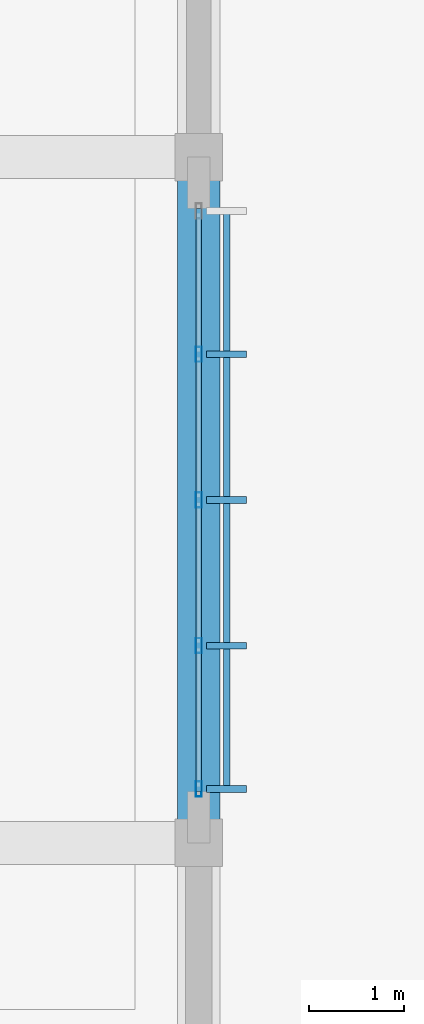
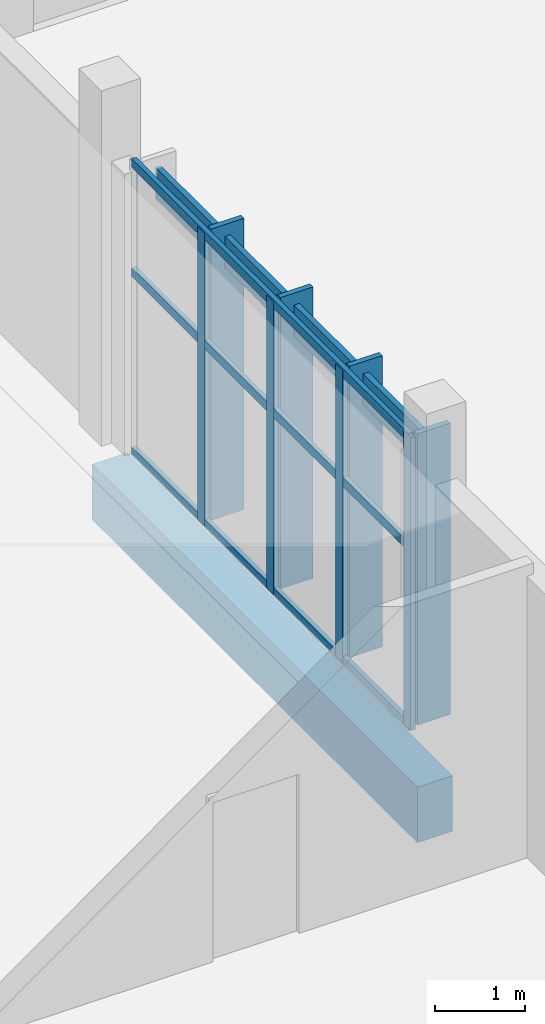
# One storey, part 54 of 151: 12 members, 1 beam, 1 element without a shape of its own.
"""IFC4 building model written with IfcOpenShell, lengths in metres."""

from ifc_helpers import new_model, si_unit, direction, frame, origin, origin_2d, place, context, subcontext, project, spatial, rectangle, hollow_rectangle, extrude, material, material_profile, profile_set, type_object, element, aggregate, save


model = new_model("IFC4")

# Units and contexts
model_context = context("Model", 3, precision=1e-05, world=origin(), true_north=direction((0.0, 1.0)))
body_context = subcontext(model_context, "Body", "Model", "MODEL_VIEW")
ifc_project = project(units=[si_unit("LENGTHUNIT", "METRE"), si_unit("AREAUNIT", "SQUARE_METRE"), si_unit("VOLUMEUNIT", "CUBIC_METRE"), si_unit("PLANEANGLEUNIT", "RADIAN"), si_unit("MASSUNIT", "GRAM", prefix="KILO")], contexts=[model_context])

# Site, building, storey
site_placement = place(None, origin())
site = spatial("IfcSite", under=ifc_project, at=site_placement, CompositionType="ELEMENT")
building_placement = place(site_placement, origin())
building = spatial("IfcBuilding", under=site, at=building_placement, Name="Chiffa Square Polytechnic", CompositionType="ELEMENT")
storey_placement = place(building_placement, origin())
storey = spatial("IfcBuildingStorey", under=building, at=storey_placement, Name="L00", CompositionType="ELEMENT", Elevation=0.0)

# Curtain wall, members
ifc_material_1 = material(Name="Aluminium EN AW-6060 T66 and glulam shading", Category="wood")
curtain_wall_type = type_object("IfcCurtainWallType", Name="CW-VERT-450X440", PredefinedType="USERDEFINED", material=ifc_material_1)
curtain_wall_placement = place(storey_placement, origin())
curtain_wall = element("IfcCurtainWall", 1, at=curtain_wall_placement, inside=storey, type_object=curtain_wall_type, Name="Curtain wall CW-V6-L00-248", ObjectType="CURTAIN WALL", PredefinedType="USERDEFINED")
ifc_material_2 = material(Name="Aluminium EN AW-6060 T66", Category="aluminium")
ifc_material_profile_1 = material_profile(ifc_material_2, hollow_rectangle(XDim=0.06005859375, YDim=0.159912109375, WallThickness=0.00390625, at=origin_2d()), Name="ALU 60x160x4")
ifc_profile_set_1 = profile_set([ifc_material_profile_1], Name="Aluminium EN AW-6060 T66")
member_type_1 = type_object("IfcMemberType", Name="CWM-ALU-65X150", PredefinedType="MULLION", material=ifc_profile_set_1)
member_1_placement = place(storey_placement, frame((32.0, 65.965087890625, 0.0), z_axis=(0.0, 0.0, 1.0), x_axis=(1.0, 0.0, 0.0)))
member_1 = element("IfcMember", 2, at=member_1_placement, type_object=member_type_1, Name="Curtain wall mullion CW-V6-L00-248-M00", PredefinedType="MULLION", context=body_context, shape_type="SweptSolid", body=[
    extrude(hollow_rectangle(XDim=0.06005859375, YDim=0.159912109375, WallThickness=0.00390625, at=origin_2d()), origin(), (0.0, 0.0, 1.0), 3.955078125),
])
member_2_placement = place(storey_placement, frame((32.0, 67.469970703125, 0.0), z_axis=(0.0, 0.0, 1.0), x_axis=(1.0, 0.0, 0.0)))
member_2 = element("IfcMember", 3, at=member_2_placement, type_object=member_type_1, Name="Curtain wall mullion CW-V6-L00-248-M01", PredefinedType="MULLION", context=body_context, shape_type="SweptSolid", body=[
    extrude(hollow_rectangle(XDim=0.06005859375, YDim=0.159912109375, WallThickness=0.00390625, at=origin_2d()), origin(), (0.0, 0.0, 1.0), 3.955078125),
])
member_3_placement = place(storey_placement, frame((32.0, 69.0, 0.0), z_axis=(0.0, 0.0, 1.0), x_axis=(1.0, 0.0, 0.0)))
member_3 = element("IfcMember", 4, at=member_3_placement, type_object=member_type_1, Name="Curtain wall mullion CW-V6-L00-248-M02", PredefinedType="MULLION", context=body_context, shape_type="SweptSolid", body=[
    extrude(hollow_rectangle(XDim=0.06005859375, YDim=0.159912109375, WallThickness=0.00390625, at=origin_2d()), origin(), (0.0, 0.0, 1.0), 3.955078125),
])
member_4_placement = place(storey_placement, frame((32.0, 70.530029296875, 0.0), z_axis=(0.0, 0.0, 1.0), x_axis=(1.0, 0.0, 0.0)))
member_4 = element("IfcMember", 5, at=member_4_placement, type_object=member_type_1, Name="Curtain wall mullion CW-V6-L00-248-M03", PredefinedType="MULLION", context=body_context, shape_type="SweptSolid", body=[
    extrude(hollow_rectangle(XDim=0.06005859375, YDim=0.159912109375, WallThickness=0.00390625, at=origin_2d()), origin(), (0.0, 0.0, 1.0), 3.955078125),
])
ifc_material_3 = material(Name="Glulam GL28h", Category="wood")
ifc_material_profile_2 = material_profile(ifc_material_3, rectangle(XDim=0.070068359375, YDim=0.419921875, at=origin_2d()), Name="GL28h 70x420")
ifc_profile_set_2 = profile_set([ifc_material_profile_2], Name="Glulam GL28h")
member_type_2 = type_object("IfcMemberType", Name="CWM-GL-70X420", PredefinedType="MULLION", material=ifc_profile_set_2)
member_5_placement = place(storey_placement, frame((32.2919921875, 65.965087890625, 0.010009765625), z_axis=(0.0, 0.0, 1.0), x_axis=(0.0, 1.0, 0.0)))
member_5 = element("IfcMember", 6, at=member_5_placement, type_object=member_type_2, Name="Exterior glulam solar fin CW-V6-L00-248-FN00", PredefinedType="MULLION", context=body_context, shape_type="SweptSolid", body=[
    extrude(rectangle(XDim=0.070068359375, YDim=0.419921875, at=origin_2d()), origin(), (0.0, 0.0, 1.0), 3.93505859375),
])
member_6_placement = place(storey_placement, frame((32.2919921875, 67.469970703125, 0.010009765625), z_axis=(0.0, 0.0, 1.0), x_axis=(0.0, 1.0, 0.0)))
member_6 = element("IfcMember", 7, at=member_6_placement, type_object=member_type_2, Name="Exterior glulam solar fin CW-V6-L00-248-FN01", PredefinedType="MULLION", context=body_context, shape_type="SweptSolid", body=[
    extrude(rectangle(XDim=0.070068359375, YDim=0.419921875, at=origin_2d()), origin(), (0.0, 0.0, 1.0), 3.93505859375),
])
member_7_placement = place(storey_placement, frame((32.2919921875, 69.0, 0.010009765625), z_axis=(0.0, 0.0, 1.0), x_axis=(0.0, 1.0, 0.0)))
member_7 = element("IfcMember", 8, at=member_7_placement, type_object=member_type_2, Name="Exterior glulam solar fin CW-V6-L00-248-FN02", PredefinedType="MULLION", context=body_context, shape_type="SweptSolid", body=[
    extrude(rectangle(XDim=0.070068359375, YDim=0.419921875, at=origin_2d()), origin(), (0.0, 0.0, 1.0), 3.93505859375),
])
member_8_placement = place(storey_placement, frame((32.2919921875, 70.530029296875, 0.010009765625), z_axis=(0.0, 0.0, 1.0), x_axis=(0.0, 1.0, 0.0)))
member_8 = element("IfcMember", 9, at=member_8_placement, type_object=member_type_2, Name="Exterior glulam solar fin CW-V6-L00-248-FN03", PredefinedType="MULLION", context=body_context, shape_type="SweptSolid", body=[
    extrude(rectangle(XDim=0.070068359375, YDim=0.419921875, at=origin_2d()), origin(), (0.0, 0.0, 1.0), 3.93505859375),
])
ifc_material_profile_3 = material_profile(ifc_material_2, hollow_rectangle(XDim=0.06005859375, YDim=0.1201171875, WallThickness=0.00390625, at=origin_2d()), Name="ALU 60x120x4")
ifc_profile_set_3 = profile_set([ifc_material_profile_3], Name="Aluminium EN AW-6060 T66")
member_type_3 = type_object("IfcMemberType", Name="CWT-ALU-65X120", PredefinedType="USERDEFINED", material=ifc_profile_set_3)
member_9_placement = place(storey_placement, frame((32.0, 65.93798828125, 0.030029296875), z_axis=(0.0, 1.0, 0.0), x_axis=(-1.0, 0.0, 0.0)))
member_9 = element("IfcMember", 10, at=member_9_placement, type_object=member_type_3, Name="Curtain wall transom CW-V6-L00-248-T01", ObjectType="TRANSOM", PredefinedType="USERDEFINED", context=body_context, shape_type="SweptSolid", body=[
    extrude(hollow_rectangle(XDim=0.06005859375, YDim=0.1201171875, WallThickness=0.00390625, at=origin_2d()), origin(), (0.0, 0.0, 1.0), 6.1240234375),
])
member_10_placement = place(storey_placement, frame((32.0, 65.93798828125, 2.451904296875), z_axis=(0.0, 1.0, 0.0), x_axis=(-1.0, 0.0, 0.0)))
member_10 = element("IfcMember", 11, at=member_10_placement, type_object=member_type_3, Name="Curtain wall transom CW-V6-L00-248-T02", ObjectType="TRANSOM", PredefinedType="USERDEFINED", context=body_context, shape_type="SweptSolid", body=[
    extrude(hollow_rectangle(XDim=0.06005859375, YDim=0.1201171875, WallThickness=0.00390625, at=origin_2d()), origin(), (0.0, 0.0, 1.0), 6.1240234375),
])
member_11_placement = place(storey_placement, frame((32.0, 65.93798828125, 3.925048828125), z_axis=(0.0, 1.0, 0.0), x_axis=(-1.0, 0.0, 0.0)))
member_11 = element("IfcMember", 12, at=member_11_placement, type_object=member_type_3, Name="Curtain wall transom CW-V6-L00-248-T03", ObjectType="TRANSOM", PredefinedType="USERDEFINED", context=body_context, shape_type="SweptSolid", body=[
    extrude(hollow_rectangle(XDim=0.06005859375, YDim=0.1201171875, WallThickness=0.00390625, at=origin_2d()), origin(), (0.0, 0.0, 1.0), 6.1240234375),
])
ifc_material_profile_4 = material_profile(ifc_material_3, rectangle(XDim=0.070068359375, YDim=0.419921875, at=origin_2d()), Name="GL28h 70x420")
ifc_profile_set_4 = profile_set([ifc_material_profile_4], Name="Glulam GL28h")
member_type_4 = type_object("IfcMemberType", Name="CWT-GL-70X420", PredefinedType="USERDEFINED", material=ifc_profile_set_4)
member_12_placement = place(storey_placement, frame((32.2919921875, 65.965087890625, 3.574951171875), z_axis=(0.0, 1.0, 0.0), x_axis=(-1.0, 0.0, 0.0)))
member_12 = element("IfcMember", 13, at=member_12_placement, type_object=member_type_4, Name="Exterior glulam brise-soleil CW-V6-L00-248-BS01", ObjectType="TRANSOM", PredefinedType="USERDEFINED", context=body_context, shape_type="SweptSolid", body=[
    extrude(rectangle(XDim=0.070068359375, YDim=0.419921875, at=origin_2d()), origin(), (0.0, 0.0, 1.0), 6.06982421875),
])
aggregate(curtain_wall, [member_1, member_5, member_2, member_6, member_3, member_7, member_4, member_8, member_9, member_10, member_11, member_12])

# Beam
ifc_material_4 = material(Name="Concrete C35/45", Category="concrete")
ifc_material_profile_5 = material_profile(ifc_material_4, rectangle(XDim=0.449951171875, YDim=0.75, at=origin_2d()), Name="RC 450x750")
ifc_profile_set_5 = profile_set([ifc_material_profile_5], Name="Concrete C35/45")
beam_type = type_object("IfcBeamType", Name="GB-RC-450X750", PredefinedType="BEAM", material=ifc_profile_set_5)
beam_placement = place(storey_placement, frame((32.0, 65.39990234375, -0.77490234375), z_axis=(0.0, 1.0, 0.0), x_axis=(-1.0, 0.0, 0.0)))
element("IfcBeam", 14, at=beam_placement, inside=storey, type_object=beam_type, Name="Ground tie beam GB-V6-Y-231", PredefinedType="BEAM", context=body_context, shape_type="SweptSolid", body=[
    extrude(rectangle(XDim=0.449951171875, YDim=0.75, at=origin_2d()), origin(), (0.0, 0.0, 1.0), 7.2001953125),
])

save(model, "model.ifc")
